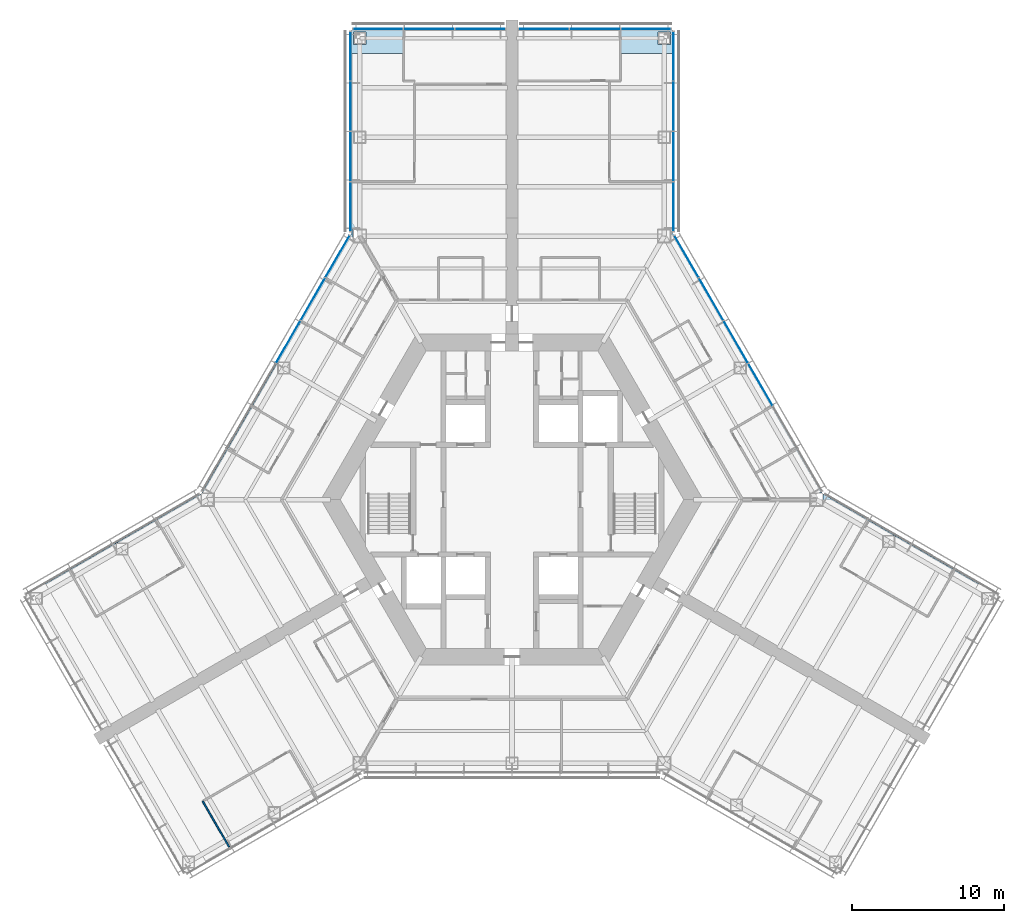
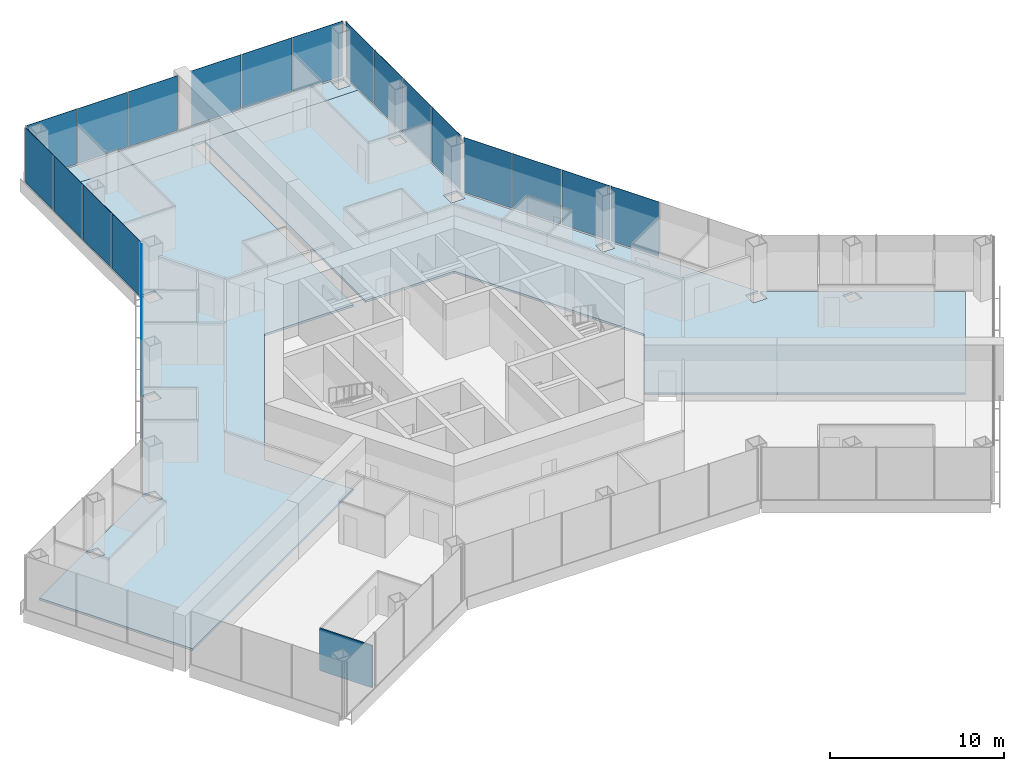
# One storey, part 11 of 18: 21 plates, 3 slabs, 1 wall, 6 elements without a shape of their own.
"""IFC4 building model written with IfcOpenShell, lengths in metres."""

from ifc_helpers import new_model, si_unit, direction, frame, frame_2d, origin, origin_2d, place, context, subcontext, project, spatial, polyline, rectangle, outline, extrude, material, layer, layer_set, type_object, element, aggregate, save


model = new_model("IFC4")

# Units and contexts
model_context = context("Model", 3, precision=1e-05, world=origin(), true_north=direction((0.0, 1.0)))
body_context = subcontext(model_context, "Body", "Model", "MODEL_VIEW")
ifc_project = project(units=[si_unit("LENGTHUNIT", "METRE"), si_unit("AREAUNIT", "SQUARE_METRE"), si_unit("VOLUMEUNIT", "CUBIC_METRE"), si_unit("PLANEANGLEUNIT", "RADIAN"), si_unit("MASSUNIT", "GRAM", prefix="KILO")], contexts=[model_context])

# Site, building, storey
site_placement = place(None, origin())
site = spatial("IfcSite", under=ifc_project, at=site_placement, CompositionType="ELEMENT")
building_placement = place(site_placement, origin())
building = spatial("IfcBuilding", under=site, at=building_placement, Name="Kasaneha Research Tower", CompositionType="ELEMENT")
storey_placement = place(building_placement, frame((0.0, 0.0, 69.0)))
storey = spatial("IfcBuildingStorey", under=building, at=storey_placement, Name="L17", CompositionType="ELEMENT", Elevation=69.0)

# Curtain wall, plates
ifc_material_1 = material(Name="Glass and aluminium", Category="aluminium")
curtain_wall_type = type_object("IfcCurtainWallType", Name="Low-rise office curtain wall", PredefinedType="USERDEFINED", material=ifc_material_1)
curtain_wall_1_placement = place(storey_placement, origin())
curtain_wall_1 = element("IfcCurtainWall", 1, at=curtain_wall_1_placement, inside=storey, type_object=curtain_wall_type, Name="CW-O1 L17 run 07a", ObjectType="UNITISED CURTAIN WALL", PredefinedType="USERDEFINED")
ifc_material_2 = material(Name="Laminated double glazing", Category="glass")
ifc_layer_1 = layer(ifc_material_2, 0.028076171875)
ifc_layer_set_1 = layer_set([ifc_layer_1], Name="CW-O1 glazed panel")
plate_type = type_object("IfcPlateType", Name="CW-O1 glazed panel", PredefinedType="CURTAIN_PANEL", material=ifc_layer_set_1)
plate_1_placement = place(storey_placement, frame((16.331298828125, 7.554443359375, 0.06005859375), z_axis=(0.0, 0.0, 1.0), x_axis=(-0.49999996188, 0.866025425793, 0.0)))
plate_1 = element("IfcPlate", 2, at=plate_1_placement, type_object=plate_type, Name="CW-O1 panel 3", PredefinedType="CURTAIN_PANEL", context=body_context, shape_type="SweptSolid", body=[
    extrude(rectangle(XDim=3.1865234375, YDim=0.028076171875, at=origin_2d()), origin(), (0.0, 0.0, 1.0), 3.840087890625),
])
plate_2_placement = place(storey_placement, frame((14.7080078125, 10.365966796875, 0.06005859375), z_axis=(0.0, 0.0, 1.0), x_axis=(-0.49999996188, 0.866025425793, 0.0)))
plate_2 = element("IfcPlate", 3, at=plate_2_placement, type_object=plate_type, Name="CW-O1 panel 4", PredefinedType="CURTAIN_PANEL", context=body_context, shape_type="SweptSolid", body=[
    extrude(rectangle(XDim=3.1865234375, YDim=0.028076171875, at=origin_2d()), origin(), (0.0, 0.0, 1.0), 3.840087890625),
])
plate_3_placement = place(storey_placement, frame((13.084716796875, 13.177490234375, 0.06005859375), z_axis=(0.0, 0.0, 1.0), x_axis=(-0.49999996188, 0.866025425793, 0.0)))
plate_3 = element("IfcPlate", 4, at=plate_3_placement, type_object=plate_type, Name="CW-O1 panel 5", PredefinedType="CURTAIN_PANEL", context=body_context, shape_type="SweptSolid", body=[
    extrude(rectangle(XDim=3.1865234375, YDim=0.028076171875, at=origin_2d()), origin(), (0.0, 0.0, 1.0), 3.840087890625),
])
plate_4_placement = place(storey_placement, frame((11.468994140625, 15.975830078125, 0.06005859375), z_axis=(0.0, 0.0, 1.0), x_axis=(-0.49999996188, 0.866025425793, 0.0)))
plate_4 = element("IfcPlate", 5, at=plate_4_placement, type_object=plate_type, Name="CW-O1 panel 6", PredefinedType="CURTAIN_PANEL", context=body_context, shape_type="SweptSolid", body=[
    extrude(rectangle(XDim=3.156494140625, YDim=0.028076171875, at=origin_2d()), origin(), (0.0, 0.0, 1.0), 3.840087890625),
])
aggregate(curtain_wall_1, [plate_1, plate_2, plate_3, plate_4])

curtain_wall_2_placement = place(storey_placement, origin())
curtain_wall_2 = element("IfcCurtainWall", 6, at=curtain_wall_2_placement, inside=storey, type_object=curtain_wall_type, Name="CW-O1 L17 run 08a", ObjectType="UNITISED CURTAIN WALL", PredefinedType="USERDEFINED")
plate_5_placement = place(storey_placement, frame((10.60009765625, 19.251220703125, 0.06005859375), z_axis=(0.0, 0.0, 1.0), x_axis=(0.0, 1.0, 0.0)))
plate_5 = element("IfcPlate", 7, at=plate_5_placement, type_object=plate_type, Name="CW-O1 panel 1", PredefinedType="CURTAIN_PANEL", context=body_context, shape_type="SweptSolid", body=[
    extrude(rectangle(XDim=3.2197265625, YDim=0.028076171875, at=origin_2d()), origin(), (0.0, 0.0, 1.0), 3.840087890625),
])
plate_6_placement = place(storey_placement, frame((10.60009765625, 22.5458984375, 0.06005859375), z_axis=(0.0, 0.0, 1.0), x_axis=(0.0, 1.0, 0.0)))
plate_6 = element("IfcPlate", 8, at=plate_6_placement, type_object=plate_type, Name="CW-O1 panel 2", PredefinedType="CURTAIN_PANEL", context=body_context, shape_type="SweptSolid", body=[
    extrude(rectangle(XDim=3.249755859375, YDim=0.028076171875, at=origin_2d()), origin(), (0.0, 0.0, 1.0), 3.840087890625),
])
plate_7_placement = place(storey_placement, frame((10.60009765625, 25.855712890625, 0.06005859375), z_axis=(0.0, 0.0, 1.0), x_axis=(0.0, 1.0, 0.0)))
plate_7 = element("IfcPlate", 9, at=plate_7_placement, type_object=plate_type, Name="CW-O1 panel 3", PredefinedType="CURTAIN_PANEL", context=body_context, shape_type="SweptSolid", body=[
    extrude(rectangle(XDim=3.249755859375, YDim=0.028076171875, at=origin_2d()), origin(), (0.0, 0.0, 1.0), 3.840087890625),
])
plate_8_placement = place(storey_placement, frame((10.60009765625, 29.150634765625, 0.06005859375), z_axis=(0.0, 0.0, 1.0), x_axis=(0.0, 1.0, 0.0)))
plate_8 = element("IfcPlate", 10, at=plate_8_placement, type_object=plate_type, Name="CW-O1 panel 4", PredefinedType="CURTAIN_PANEL", context=body_context, shape_type="SweptSolid", body=[
    extrude(rectangle(XDim=3.2197265625, YDim=0.028076171875, at=origin_2d()), origin(), (0.0, 0.0, 1.0), 3.840087890625),
])
aggregate(curtain_wall_2, [plate_5, plate_6, plate_7, plate_8])

curtain_wall_3_placement = place(storey_placement, origin())
curtain_wall_3 = element("IfcCurtainWall", 11, at=curtain_wall_3_placement, inside=storey, type_object=curtain_wall_type, Name="CW-O1 L17 run 09a", ObjectType="UNITISED CURTAIN WALL", PredefinedType="USERDEFINED")
plate_9_placement = place(storey_placement, frame((8.8017578125, 30.92041015625, 0.06005859375), z_axis=(0.0, 0.0, 1.0), x_axis=(-1.0, 0.0, 0.0)))
plate_9 = element("IfcPlate", 12, at=plate_9_placement, type_object=plate_type, Name="CW-O1 panel 1", PredefinedType="CURTAIN_PANEL", context=body_context, shape_type="SweptSolid", body=[
    extrude(rectangle(XDim=3.276611328125, YDim=0.028076171875, at=origin_2d()), origin(), (0.0, 0.0, 1.0), 3.840087890625),
])
plate_10_placement = place(storey_placement, frame((5.449951171875, 30.92041015625, 0.06005859375), z_axis=(0.0, 0.0, 1.0), x_axis=(-1.0, 0.0, 0.0)))
plate_10 = element("IfcPlate", 13, at=plate_10_placement, type_object=plate_type, Name="CW-O1 panel 2", PredefinedType="CURTAIN_PANEL", context=body_context, shape_type="SweptSolid", body=[
    extrude(rectangle(XDim=3.306640625, YDim=0.028076171875, at=origin_2d()), origin(), (0.0, 0.0, 1.0), 3.840087890625),
])
plate_11_placement = place(storey_placement, frame((2.098388671875, 30.92041015625, 0.06005859375), z_axis=(0.0, 0.0, 1.0), x_axis=(-1.0, 0.0, 0.0)))
plate_11 = element("IfcPlate", 14, at=plate_11_placement, type_object=plate_type, Name="CW-O1 panel 3", PredefinedType="CURTAIN_PANEL", context=body_context, shape_type="SweptSolid", body=[
    extrude(rectangle(XDim=3.276611328125, YDim=0.028076171875, at=origin_2d()), origin(), (0.0, 0.0, 1.0), 3.840087890625),
])
aggregate(curtain_wall_3, [plate_9, plate_10, plate_11])

curtain_wall_4_placement = place(storey_placement, origin())
curtain_wall_4 = element("IfcCurtainWall", 15, at=curtain_wall_4_placement, inside=storey, type_object=curtain_wall_type, Name="CW-O1 L17 run 10a", ObjectType="UNITISED CURTAIN WALL", PredefinedType="USERDEFINED")
plate_12_placement = place(storey_placement, frame((-2.098388671875, 30.92041015625, 0.06005859375), z_axis=(0.0, 0.0, 1.0), x_axis=(-1.0, 0.0, 0.0)))
plate_12 = element("IfcPlate", 16, at=plate_12_placement, type_object=plate_type, Name="CW-O1 panel 1", PredefinedType="CURTAIN_PANEL", context=body_context, shape_type="SweptSolid", body=[
    extrude(rectangle(XDim=3.276611328125, YDim=0.028076171875, at=origin_2d()), origin(), (0.0, 0.0, 1.0), 3.840087890625),
])
plate_13_placement = place(storey_placement, frame((-5.449951171875, 30.92041015625, 0.06005859375), z_axis=(0.0, 0.0, 1.0), x_axis=(-1.0, 0.0, 0.0)))
plate_13 = element("IfcPlate", 17, at=plate_13_placement, type_object=plate_type, Name="CW-O1 panel 2", PredefinedType="CURTAIN_PANEL", context=body_context, shape_type="SweptSolid", body=[
    extrude(rectangle(XDim=3.306640625, YDim=0.028076171875, at=origin_2d()), origin(), (0.0, 0.0, 1.0), 3.840087890625),
])
plate_14_placement = place(storey_placement, frame((-8.8017578125, 30.92041015625, 0.06005859375), z_axis=(0.0, 0.0, 1.0), x_axis=(-1.0, 0.0, 0.0)))
plate_14 = element("IfcPlate", 18, at=plate_14_placement, type_object=plate_type, Name="CW-O1 panel 3", PredefinedType="CURTAIN_PANEL", context=body_context, shape_type="SweptSolid", body=[
    extrude(rectangle(XDim=3.276611328125, YDim=0.028076171875, at=origin_2d()), origin(), (0.0, 0.0, 1.0), 3.840087890625),
])
aggregate(curtain_wall_4, [plate_12, plate_13, plate_14])

curtain_wall_5_placement = place(storey_placement, origin())
curtain_wall_5 = element("IfcCurtainWall", 19, at=curtain_wall_5_placement, inside=storey, type_object=curtain_wall_type, Name="CW-O1 L17 run 11a", ObjectType="UNITISED CURTAIN WALL", PredefinedType="USERDEFINED")
plate_15_placement = place(storey_placement, frame((-10.60009765625, 29.150634765625, 0.06005859375), z_axis=(0.0, 0.0, 1.0), x_axis=(0.0, -1.0, 0.0)))
plate_15 = element("IfcPlate", 20, at=plate_15_placement, type_object=plate_type, Name="CW-O1 panel 1", PredefinedType="CURTAIN_PANEL", context=body_context, shape_type="SweptSolid", body=[
    extrude(rectangle(XDim=3.2197265625, YDim=0.028076171875, at=origin_2d()), origin(), (0.0, 0.0, 1.0), 3.840087890625),
])
plate_16_placement = place(storey_placement, frame((-10.60009765625, 25.855712890625, 0.06005859375), z_axis=(0.0, 0.0, 1.0), x_axis=(0.0, -1.0, 0.0)))
plate_16 = element("IfcPlate", 21, at=plate_16_placement, type_object=plate_type, Name="CW-O1 panel 2", PredefinedType="CURTAIN_PANEL", context=body_context, shape_type="SweptSolid", body=[
    extrude(rectangle(XDim=3.249755859375, YDim=0.028076171875, at=origin_2d()), origin(), (0.0, 0.0, 1.0), 3.840087890625),
])
plate_17_placement = place(storey_placement, frame((-10.60009765625, 22.5458984375, 0.06005859375), z_axis=(0.0, 0.0, 1.0), x_axis=(0.0, -1.0, 0.0)))
plate_17 = element("IfcPlate", 22, at=plate_17_placement, type_object=plate_type, Name="CW-O1 panel 3", PredefinedType="CURTAIN_PANEL", context=body_context, shape_type="SweptSolid", body=[
    extrude(rectangle(XDim=3.249755859375, YDim=0.028076171875, at=origin_2d()), origin(), (0.0, 0.0, 1.0), 3.840087890625),
])
plate_18_placement = place(storey_placement, frame((-10.60009765625, 19.251220703125, 0.06005859375), z_axis=(0.0, 0.0, 1.0), x_axis=(0.0, -1.0, 0.0)))
plate_18 = element("IfcPlate", 23, at=plate_18_placement, type_object=plate_type, Name="CW-O1 panel 4", PredefinedType="CURTAIN_PANEL", context=body_context, shape_type="SweptSolid", body=[
    extrude(rectangle(XDim=3.2197265625, YDim=0.028076171875, at=origin_2d()), origin(), (0.0, 0.0, 1.0), 3.840087890625),
])
aggregate(curtain_wall_5, [plate_15, plate_16, plate_17, plate_18])

curtain_wall_6_placement = place(storey_placement, origin())
curtain_wall_6 = element("IfcCurtainWall", 24, at=curtain_wall_6_placement, inside=storey, type_object=curtain_wall_type, Name="CW-O1 L17 run 12a", ObjectType="UNITISED CURTAIN WALL", PredefinedType="USERDEFINED")
plate_19_placement = place(storey_placement, frame((-11.468994140625, 15.975830078125, 0.06005859375), z_axis=(0.0, 0.0, 1.0), x_axis=(-0.49999996188, -0.866025425793, 0.0)))
plate_19 = element("IfcPlate", 25, at=plate_19_placement, type_object=plate_type, Name="CW-O1 panel 1", PredefinedType="CURTAIN_PANEL", context=body_context, shape_type="SweptSolid", body=[
    extrude(rectangle(XDim=3.156494140625, YDim=0.028076171875, at=origin_2d()), origin(), (0.0, 0.0, 1.0), 3.840087890625),
])
plate_20_placement = place(storey_placement, frame((-13.084716796875, 13.177490234375, 0.06005859375), z_axis=(0.0, 0.0, 1.0), x_axis=(-0.49999996188, -0.866025425793, 0.0)))
plate_20 = element("IfcPlate", 26, at=plate_20_placement, type_object=plate_type, Name="CW-O1 panel 2", PredefinedType="CURTAIN_PANEL", context=body_context, shape_type="SweptSolid", body=[
    extrude(rectangle(XDim=3.1865234375, YDim=0.028076171875, at=origin_2d()), origin(), (0.0, 0.0, 1.0), 3.840087890625),
])
plate_21_placement = place(storey_placement, frame((-14.7080078125, 10.365966796875, 0.06005859375), z_axis=(0.0, 0.0, 1.0), x_axis=(-0.49999996188, -0.866025425793, 0.0)))
plate_21 = element("IfcPlate", 27, at=plate_21_placement, type_object=plate_type, Name="CW-O1 panel 3", PredefinedType="CURTAIN_PANEL", context=body_context, shape_type="SweptSolid", body=[
    extrude(rectangle(XDim=3.1865234375, YDim=0.028076171875, at=origin_2d()), origin(), (0.0, 0.0, 1.0), 3.840087890625),
])
aggregate(curtain_wall_6, [plate_19, plate_20, plate_21])

# Slabs
ifc_material_3 = material(Name="Concrete Fc24", Category="concrete")
ifc_layer_2 = layer(ifc_material_3, 0.14990234375)
ifc_layer_set_2 = layer_set([ifc_layer_2], Name="Floor slab 150")
slab_type = type_object("IfcSlabType", Name="Floor slab 150", PredefinedType="FLOOR", material=ifc_layer_set_2)
slab_1_placement = place(storey_placement, frame((0.0, 0.0, -0.14990234375)))
element("IfcSlab", 28, at=slab_1_placement, inside=storey, type_object=slab_type, Name="Floor slab L17 2", PredefinedType="FLOOR", context=body_context, shape_type="SweptSolid", body=[
    extrude(outline(polyline([(-20.375244140625, 0.449951171875), (-15.40771484375, 9.053955078125), (-15.400146484375, 9.046142578125), (-15.400146484375, 8.26025390625), (-14.599853515625, 8.26025390625), (-14.599853515625, 9.060302734375), (-15.385986328125, 9.060302734375), (-15.3974609375, 9.07177734375), (-10.550048828125, 17.4677734375), (-10.550048828125, 29.310546875), (-0.39990234375, 29.310546875), (-0.39990234375, 10.875), (-6.278564453125, 10.875), (-12.557373046875, 0.0), (-9.617919921875, -5.091064453125), (-25.583740234375, -14.308837890625), (-30.65869140625, -5.518798828125), (-26.040771484375, -2.8525390625), (-26.029296875, -2.864013671875), (-26.029296875, -3.650146484375), (-25.22900390625, -3.650146484375), (-25.22900390625, -2.849853515625), (-26.01513671875, -2.849853515625), (-26.02294921875, -2.84228515625), (-20.449951171875, 0.375244140625), (-20.449951171875, -0.449951171875), (-19.550048828125, -0.449951171875), (-19.550048828125, 0.449951171875), (-20.375244140625, 0.449951171875)]), holes=[polyline([(-9.550048828125, 17.7705078125), (-10.449951171875, 17.7705078125), (-10.449951171875, 16.87060546875), (-9.550048828125, 16.87060546875), (-9.550048828125, 17.7705078125)]), polyline([(-9.60009765625, 23.42041015625), (-9.60009765625, 24.220458984375), (-10.39990234375, 24.220458984375), (-10.39990234375, 23.42041015625), (-9.60009765625, 23.42041015625)])]), origin(), (0.0, 0.0, 1.0), 0.14990234375),
])
slab_2_placement = place(storey_placement, frame((0.0, 0.0, -0.14990234375)))
element("IfcSlab", 29, at=slab_2_placement, inside=storey, type_object=slab_type, Name="Floor slab L17 3", PredefinedType="FLOOR", context=body_context, shape_type="SweptSolid", body=[
    extrude(outline(polyline([(10.550048828125, 29.310546875), (0.39990234375, 29.310546875), (0.39990234375, 29.320556640625), (-0.39990234375, 29.320556640625), (-0.39990234375, 29.310546875), (-10.550048828125, 29.310546875), (-10.550048828125, 30.87060546875), (10.550048828125, 30.87060546875), (10.550048828125, 29.310546875)]), holes=[polyline([(-9.60009765625, 30.720458984375), (-10.39990234375, 30.720458984375), (-10.39990234375, 29.92041015625), (-9.60009765625, 29.92041015625), (-9.60009765625, 30.720458984375)]), polyline([(10.39990234375, 29.92041015625), (10.39990234375, 30.720458984375), (9.60009765625, 30.720458984375), (9.60009765625, 29.92041015625), (10.39990234375, 29.92041015625)])]), origin(), (0.0, 0.0, 1.0), 0.14990234375),
])
slab_3_placement = place(storey_placement, frame((0.0, 0.0, -0.14990234375)))
element("IfcSlab", 30, at=slab_3_placement, inside=storey, type_object=slab_type, Name="Floor slab L17 5", PredefinedType="FLOOR", context=body_context, shape_type="SweptSolid", body=[
    extrude(outline(polyline([(9.617919921875, -5.091064453125), (12.557373046875, 0.0), (6.278564453125, 10.875), (0.39990234375, 10.875), (0.39990234375, 29.310546875), (10.550048828125, 29.310546875), (10.550048828125, 17.4677734375), (15.3974609375, 9.07177734375), (15.385986328125, 9.060302734375), (14.599853515625, 9.060302734375), (14.599853515625, 8.26025390625), (15.400146484375, 8.26025390625), (15.400146484375, 9.046142578125), (15.40771484375, 9.053955078125), (20.375244140625, 0.449951171875), (19.550048828125, 0.449951171875), (19.550048828125, -0.449951171875), (20.449951171875, -0.449951171875), (20.449951171875, 0.375244140625), (25.15673828125, -2.34228515625), (25.149169921875, -2.349853515625), (24.363037109375, -2.349853515625), (24.363037109375, -3.150146484375), (25.163330078125, -3.150146484375), (25.163330078125, -2.364013671875), (25.1748046875, -2.3525390625), (30.65869140625, -5.518798828125), (25.583740234375, -14.308837890625), (9.617919921875, -5.091064453125)]), holes=[polyline([(10.449951171875, 16.87060546875), (10.449951171875, 17.7705078125), (9.550048828125, 17.7705078125), (9.550048828125, 16.87060546875), (10.449951171875, 16.87060546875)]), polyline([(10.39990234375, 23.42041015625), (10.39990234375, 24.220458984375), (9.60009765625, 24.220458984375), (9.60009765625, 23.42041015625), (10.39990234375, 23.42041015625)])]), origin(), (0.0, 0.0, 1.0), 0.14990234375),
])

# Wall
ifc_material_4 = material(Name="Gypsum board on steel studs, one layer each side", Category="steel")
ifc_layer_3 = layer(ifc_material_4, 0.10009765625)
ifc_layer_set_3 = layer_set([ifc_layer_3], Name="Office partition 100")
wall_type = type_object("IfcWallType", Name="Office partition 100", PredefinedType="PARTITIONING", material=ifc_layer_set_3)
wall_placement = place(storey_placement, frame((-18.5849609375, -22.831298828125, 0.0), z_axis=(0.0, 0.0, 1.0), x_axis=(-0.499979528911, 0.866037222451, 0.0)))
element("IfcWall", 31, at=wall_placement, inside=storey, type_object=wall_type, Name="Office partition FBS05 L17", PredefinedType="PARTITIONING", context=body_context, shape_type="SweptSolid", body=[
    extrude(rectangle(XDim=3.480224609375, YDim=0.10009765625, at=frame_2d((1.740234375, 0.0))), origin(), (0.0, 0.0, 1.0), 2.949951171875),
])

save(model, "model.ifc")
